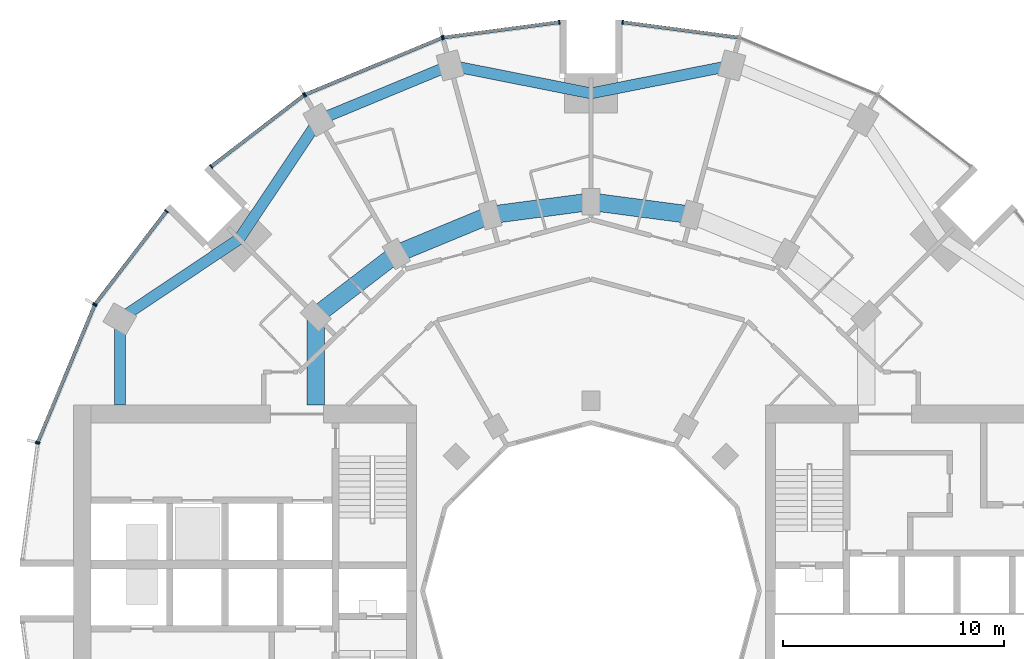
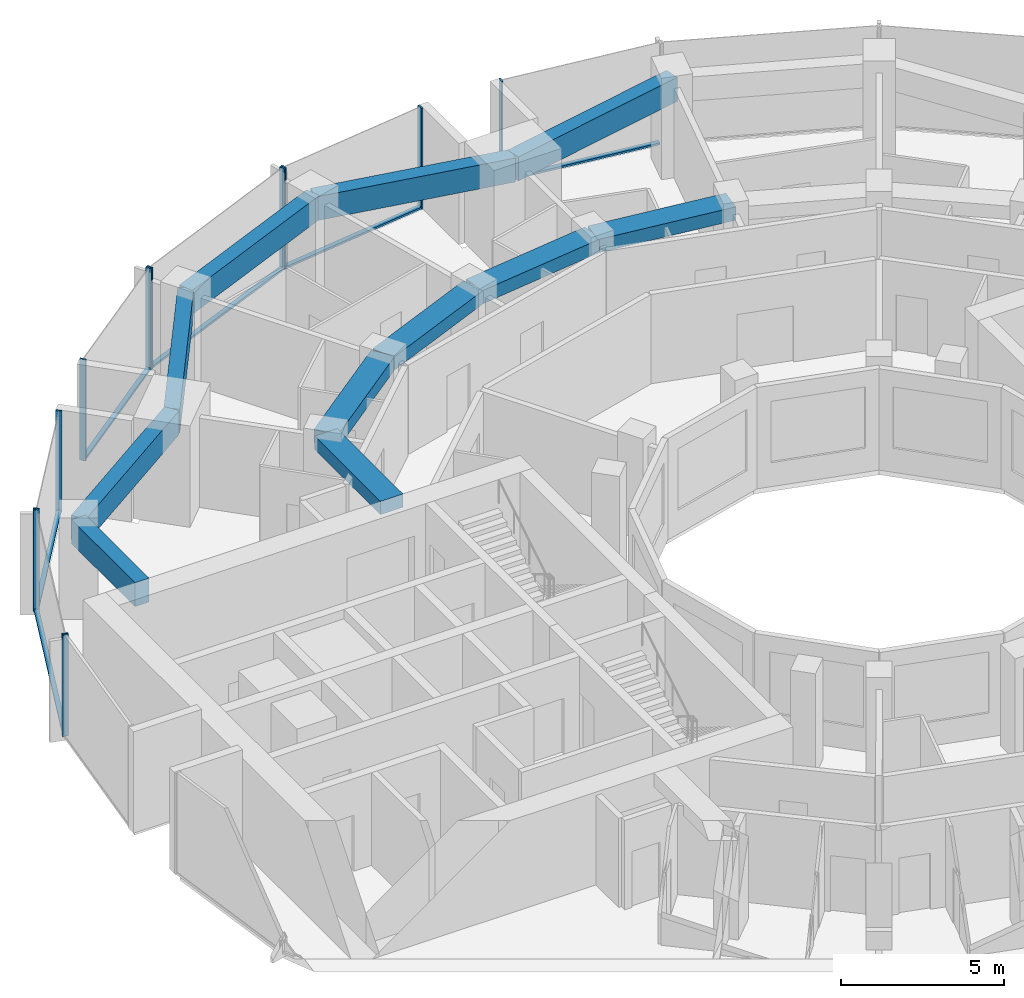
# One storey, part 5 of 15: 18 members, 11 beams, 7 elements without a shape of their own.
"""IFC4 building model written with IfcOpenShell, lengths in metres."""

from ifc_helpers import new_model, si_unit, direction, frame, origin, origin_2d, place, context, subcontext, project, spatial, rectangle, extrude, material, layer, layer_set, material_profile, profile_set, type_object, element, aggregate, save


model = new_model("IFC4")

# Units and contexts
model_context = context("Model", 3, precision=1e-05, world=origin(), true_north=direction((0.0, 1.0)))
body_context = subcontext(model_context, "Body", "Model", "MODEL_VIEW")
ifc_project = project(units=[si_unit("LENGTHUNIT", "METRE"), si_unit("AREAUNIT", "SQUARE_METRE"), si_unit("VOLUMEUNIT", "CUBIC_METRE"), si_unit("PLANEANGLEUNIT", "RADIAN"), si_unit("MASSUNIT", "GRAM", prefix="KILO")], contexts=[model_context])

# Site, building, storey
site_placement = place(None, origin())
site = spatial("IfcSite", under=ifc_project, at=site_placement, CompositionType="ELEMENT")
building_placement = place(site_placement, origin())
building = spatial("IfcBuilding", under=site, at=building_placement, Name="Torre Brocal", CompositionType="ELEMENT")
storey_placement = place(building_placement, frame((0.0, 0.0, 47.800048828125)))
storey = spatial("IfcBuildingStorey", under=building, at=storey_placement, Name="L10", CompositionType="ELEMENT", Elevation=47.800048828125)

# Curtain wall, member
ifc_material_1 = material(Name="Aluminium and glass", Category="aluminium")
ifc_layer_1 = layer(ifc_material_1, 0.199951171875)
ifc_layer_set_1 = layer_set([ifc_layer_1], Name="Aluminium and glass")
curtain_wall_type_1 = type_object("IfcCurtainWallType", Name="CW-1 CURTAIN WALL 3800 HIGH", PredefinedType="NOTDEFINED", material=ifc_layer_set_1)
curtain_wall_1_placement = place(storey_placement, origin())
curtain_wall_1 = element("IfcCurtainWall", 1, at=curtain_wall_1_placement, inside=storey, type_object=curtain_wall_type_1, Name="CW-1 RUN 6", PredefinedType="NOTDEFINED")
ifc_material_2 = material(Name="Aluminium, dark anodised", Category="aluminium")
ifc_material_profile_1 = material_profile(ifc_material_2, rectangle(XDim=0.199951171875, YDim=0.06005859375, at=origin_2d()), Name="CW-1 MULLION 60X200")
ifc_profile_set_1 = profile_set([ifc_material_profile_1], Name="Aluminium, dark anodised")
member_type_1 = type_object("IfcMemberType", Name="CW-1 MULLION 60X200", PredefinedType="MULLION", material=ifc_profile_set_1)
member_1_placement = place(storey_placement, frame((81.4296875, 100.7109375, 0.0), z_axis=(0.0, 0.0, 1.0), x_axis=(-0.13052619222, -0.991444861374, 0.0)))
member_1 = element("IfcMember", 2, at=member_1_placement, type_object=member_type_1, Name="CW1-1 mullion 2", PredefinedType="MULLION", context=body_context, shape_type="SweptSolid", body=[
    extrude(rectangle(XDim=0.199951171875, YDim=0.06005859375, at=origin_2d()), origin(), (0.0, 0.0, 1.0), 3.800048828125),
])

# Curtain wall, members
curtain_wall_2_placement = place(storey_placement, origin())
curtain_wall_2 = element("IfcCurtainWall", 3, at=curtain_wall_2_placement, inside=storey, type_object=curtain_wall_type_1, Name="CW-1 RUN 7", PredefinedType="NOTDEFINED")
member_2_placement = place(storey_placement, frame((78.5703125, 100.7109375, 0.0), z_axis=(0.0, 0.0, 1.0), x_axis=(0.13052619222, -0.991444861374, 0.0)))
member_2 = element("IfcMember", 4, at=member_2_placement, type_object=member_type_1, Name="CW1-1 mullion 1", PredefinedType="MULLION", context=body_context, shape_type="SweptSolid", body=[
    extrude(rectangle(XDim=0.199951171875, YDim=0.06005859375, at=origin_2d()), origin(), (0.0, 0.0, 1.0), 3.800048828125),
])
member_3_placement = place(storey_placement, frame((73.32666015625, 100.0205078125, 0.0), z_axis=(0.0, 0.0, 1.0), x_axis=(0.13052619222, -0.991444861374, 0.0)))
member_3 = element("IfcMember", 5, at=member_3_placement, type_object=member_type_1, Name="CW1-1 mullion 2", PredefinedType="MULLION", context=body_context, shape_type="SweptSolid", body=[
    extrude(rectangle(XDim=0.199951171875, YDim=0.06005859375, at=origin_2d()), origin(), (0.0, 0.0, 1.0), 3.800048828125),
])

curtain_wall_3_placement = place(storey_placement, origin())
curtain_wall_3 = element("IfcCurtainWall", 6, at=curtain_wall_3_placement, inside=storey, type_object=curtain_wall_type_1, Name="CW-1 RUN 8", PredefinedType="NOTDEFINED")
member_4_placement = place(storey_placement, frame((73.26904296875, 100.005126953125, 0.0), z_axis=(0.0, 0.0, 1.0), x_axis=(0.382683432333, -0.923879532525, 0.0)))
member_4 = element("IfcMember", 7, at=member_4_placement, type_object=member_type_1, Name="CW1-1 mullion 1", PredefinedType="MULLION", context=body_context, shape_type="SweptSolid", body=[
    extrude(rectangle(XDim=0.199951171875, YDim=0.06005859375, at=origin_2d()), origin(), (0.0, 0.0, 1.0), 3.800048828125),
])
member_5_placement = place(storey_placement, frame((67.078125, 97.440673828125, 0.0), z_axis=(0.0, 0.0, 1.0), x_axis=(0.382683432333, -0.923879532525, 0.0)))
member_5 = element("IfcMember", 8, at=member_5_placement, type_object=member_type_1, Name="CW1-1 mullion 2", PredefinedType="MULLION", context=body_context, shape_type="SweptSolid", body=[
    extrude(rectangle(XDim=0.199951171875, YDim=0.06005859375, at=origin_2d()), origin(), (0.0, 0.0, 1.0), 3.800048828125),
])

curtain_wall_4_placement = place(storey_placement, origin())
curtain_wall_4 = element("IfcCurtainWall", 9, at=curtain_wall_4_placement, inside=storey, type_object=curtain_wall_type_1, Name="CW-1 RUN 9", PredefinedType="NOTDEFINED")
member_6_placement = place(storey_placement, frame((67.026611328125, 97.4111328125, 0.0), z_axis=(0.0, 0.0, 1.0), x_axis=(0.60876142905, -0.793353340259, 0.0)))
member_6 = element("IfcMember", 10, at=member_6_placement, type_object=member_type_1, Name="CW1-1 mullion 1", PredefinedType="MULLION", context=body_context, shape_type="SweptSolid", body=[
    extrude(rectangle(XDim=0.199951171875, YDim=0.06005859375, at=origin_2d()), origin(), (0.0, 0.0, 1.0), 3.800048828125),
])
member_7_placement = place(storey_placement, frame((62.83056640625, 94.19140625, 0.0), z_axis=(0.0, 0.0, 1.0), x_axis=(0.60876142905, -0.793353340259, 0.0)))
member_7 = element("IfcMember", 11, at=member_7_placement, type_object=member_type_1, Name="CW1-1 mullion 2", PredefinedType="MULLION", context=body_context, shape_type="SweptSolid", body=[
    extrude(rectangle(XDim=0.199951171875, YDim=0.06005859375, at=origin_2d()), origin(), (0.0, 0.0, 1.0), 3.800048828125),
])

curtain_wall_5_placement = place(storey_placement, origin())
curtain_wall_5 = element("IfcCurtainWall", 12, at=curtain_wall_5_placement, inside=storey, type_object=curtain_wall_type_1, Name="CW-1 RUN 10", PredefinedType="NOTDEFINED")
member_8_placement = place(storey_placement, frame((60.80859375, 92.16943359375, 0.0), z_axis=(0.0, 0.0, 1.0), x_axis=(0.793353340259, -0.60876142905, 0.0)))
member_8 = element("IfcMember", 13, at=member_8_placement, type_object=member_type_1, Name="CW1-1 mullion 1", PredefinedType="MULLION", context=body_context, shape_type="SweptSolid", body=[
    extrude(rectangle(XDim=0.199951171875, YDim=0.06005859375, at=origin_2d()), origin(), (0.0, 0.0, 1.0), 3.800048828125),
])
member_9_placement = place(storey_placement, frame((57.5888671875, 87.973388671875, 0.0), z_axis=(0.0, 0.0, 1.0), x_axis=(0.793353340259, -0.60876142905, 0.0)))
member_9 = element("IfcMember", 14, at=member_9_placement, type_object=member_type_1, Name="CW1-1 mullion 2", PredefinedType="MULLION", context=body_context, shape_type="SweptSolid", body=[
    extrude(rectangle(XDim=0.199951171875, YDim=0.06005859375, at=origin_2d()), origin(), (0.0, 0.0, 1.0), 3.800048828125),
])

curtain_wall_6_placement = place(storey_placement, origin())
curtain_wall_6 = element("IfcCurtainWall", 15, at=curtain_wall_6_placement, inside=storey, type_object=curtain_wall_type_1, Name="CW-1 RUN 11", PredefinedType="NOTDEFINED")
member_10_placement = place(storey_placement, frame((57.559326171875, 87.921875, 0.0), z_axis=(0.0, 0.0, 1.0), x_axis=(0.923879532525, -0.382683432333, 0.0)))
member_10 = element("IfcMember", 16, at=member_10_placement, type_object=member_type_1, Name="CW1-1 mullion 1", PredefinedType="MULLION", context=body_context, shape_type="SweptSolid", body=[
    extrude(rectangle(XDim=0.199951171875, YDim=0.06005859375, at=origin_2d()), origin(), (0.0, 0.0, 1.0), 3.800048828125),
])
member_11_placement = place(storey_placement, frame((54.994873046875, 81.73095703125, 0.0), z_axis=(0.0, 0.0, 1.0), x_axis=(0.923879532525, -0.382683432333, 0.0)))
member_11 = element("IfcMember", 17, at=member_11_placement, type_object=member_type_1, Name="CW1-1 mullion 2", PredefinedType="MULLION", context=body_context, shape_type="SweptSolid", body=[
    extrude(rectangle(XDim=0.199951171875, YDim=0.06005859375, at=origin_2d()), origin(), (0.0, 0.0, 1.0), 3.800048828125),
])

# Member
ifc_material_3 = material(Name="Aluminium, dark anodised", Category="aluminium")
ifc_material_profile_2 = material_profile(ifc_material_3, rectangle(XDim=0.159912109375, YDim=0.080078125, at=origin_2d()), Name="CW-1 TRANSOM 160X80")
ifc_profile_set_2 = profile_set([ifc_material_profile_2], Name="Aluminium, dark anodised")
member_type_2 = type_object("IfcMemberType", Name="CW-1 TRANSOM 160X80", PredefinedType="USERDEFINED", material=ifc_profile_set_2)
member_12_placement = place(storey_placement, frame((86.643798828125, 100.0244140625, 0.0400390625), z_axis=(-0.991442690863, 0.130542677827, 0.0), x_axis=(-0.130542677827, -0.991442690863, 0.0)))
member_12 = element("IfcMember", 18, at=member_12_placement, type_object=member_type_2, Name="CW1-1 transom 1.1", ObjectType="TRANSOM", PredefinedType="USERDEFINED", context=body_context, shape_type="SweptSolid", body=[
    extrude(rectangle(XDim=0.159912109375, YDim=0.080078125, at=origin_2d()), origin(), (0.0, 0.0, 1.0), 5.22900390625),
])

aggregate(curtain_wall_1, [member_1, member_12])

member_13_placement = place(storey_placement, frame((78.54052734375, 100.70703125, 0.0400390625), z_axis=(-0.991442690863, -0.130542677827, 0.0), x_axis=(0.130542677827, -0.991442690863, 0.0)))
member_13 = element("IfcMember", 19, at=member_13_placement, type_object=member_type_2, Name="CW1-1 transom 1.1", ObjectType="TRANSOM", PredefinedType="USERDEFINED", context=body_context, shape_type="SweptSolid", body=[
    extrude(rectangle(XDim=0.159912109375, YDim=0.080078125, at=origin_2d()), origin(), (0.0, 0.0, 1.0), 5.22900390625),
])

aggregate(curtain_wall_2, [member_2, member_3, member_13])

member_14_placement = place(storey_placement, frame((73.241455078125, 99.99365234375, 0.0400390625), z_axis=(-0.923887344364, -0.38266457234, 0.0), x_axis=(0.38266457234, -0.923887344364, 0.0)))
member_14 = element("IfcMember", 20, at=member_14_placement, type_object=member_type_2, Name="CW1-1 transom 1.1", ObjectType="TRANSOM", PredefinedType="USERDEFINED", context=body_context, shape_type="SweptSolid", body=[
    extrude(rectangle(XDim=0.159912109375, YDim=0.080078125, at=origin_2d()), origin(), (0.0, 0.0, 1.0), 6.640869140625),
])

aggregate(curtain_wall_3, [member_4, member_5, member_14])

member_15_placement = place(storey_placement, frame((67.0029296875, 97.392822265625, 0.0400390625), z_axis=(-0.79336281513, -0.60874908096, 0.0), x_axis=(0.60874908096, -0.79336281513, 0.0)))
member_15 = element("IfcMember", 21, at=member_15_placement, type_object=member_type_2, Name="CW1-1 transom 1.1", ObjectType="TRANSOM", PredefinedType="USERDEFINED", context=body_context, shape_type="SweptSolid", body=[
    extrude(rectangle(XDim=0.159912109375, YDim=0.080078125, at=origin_2d()), origin(), (0.0, 0.0, 1.0), 5.22900390625),
])

aggregate(curtain_wall_4, [member_6, member_7, member_15])

member_16_placement = place(storey_placement, frame((60.790283203125, 92.1455078125, 0.0400390625), z_axis=(-0.60874908096, -0.79336281513, 0.0), x_axis=(0.79336281513, -0.60874908096, 0.0)))
member_16 = element("IfcMember", 22, at=member_16_placement, type_object=member_type_2, Name="CW1-1 transom 1.1", ObjectType="TRANSOM", PredefinedType="USERDEFINED", context=body_context, shape_type="SweptSolid", body=[
    extrude(rectangle(XDim=0.159912109375, YDim=0.080078125, at=origin_2d()), origin(), (0.0, 0.0, 1.0), 5.22900390625),
])

aggregate(curtain_wall_5, [member_8, member_9, member_16])

member_17_placement = place(storey_placement, frame((57.547607421875, 87.89404296875, 0.0400390625), z_axis=(-0.38266457234, -0.923887344364, 0.0), x_axis=(0.923887344364, -0.38266457234, 0.0)))
member_17 = element("IfcMember", 23, at=member_17_placement, type_object=member_type_2, Name="CW1-1 transom 1.1", ObjectType="TRANSOM", PredefinedType="USERDEFINED", context=body_context, shape_type="SweptSolid", body=[
    extrude(rectangle(XDim=0.159912109375, YDim=0.080078125, at=origin_2d()), origin(), (0.0, 0.0, 1.0), 6.640869140625),
])

aggregate(curtain_wall_6, [member_10, member_11, member_17])

# Curtain wall, member
ifc_material_4 = material(Name="Aluminium and glass", Category="aluminium")
ifc_layer_2 = layer(ifc_material_4, 0.199951171875)
ifc_layer_set_2 = layer_set([ifc_layer_2], Name="Aluminium and glass")
curtain_wall_type_2 = type_object("IfcCurtainWallType", Name="CW-1B CURTAIN WALL 3800 HIGH", PredefinedType="NOTDEFINED", material=ifc_layer_set_2)
curtain_wall_7_placement = place(storey_placement, origin())
curtain_wall_7 = element("IfcCurtainWall", 24, at=curtain_wall_7_placement, inside=storey, type_object=curtain_wall_type_2, Name="CW-1B RUN 12", PredefinedType="NOTDEFINED")
ifc_material_5 = material(Name="Aluminium, dark anodised", Category="aluminium")
ifc_material_profile_3 = material_profile(ifc_material_5, rectangle(XDim=0.199951171875, YDim=0.06005859375, at=origin_2d()), Name="CW-1B MULLION 60X200")
ifc_profile_set_3 = profile_set([ifc_material_profile_3], Name="Aluminium, dark anodised")
member_type_3 = type_object("IfcMemberType", Name="CW-1B MULLION 60X200", PredefinedType="MULLION", material=ifc_profile_set_3)
member_18_placement = place(storey_placement, frame((54.9794921875, 81.67333984375, 0.0), z_axis=(0.0, 0.0, 1.0), x_axis=(0.991444861374, -0.13052619222, 0.0)))
member_18 = element("IfcMember", 25, at=member_18_placement, type_object=member_type_3, Name="CW1B-1 mullion 1", PredefinedType="MULLION", context=body_context, shape_type="SweptSolid", body=[
    extrude(rectangle(XDim=0.199951171875, YDim=0.06005859375, at=origin_2d()), origin(), (0.0, 0.0, 1.0), 3.800048828125),
])
aggregate(curtain_wall_7, [member_18])

# Beams
ifc_material_6 = material(Name="Concrete C50", Category="concrete")
ifc_material_profile_4 = material_profile(ifc_material_6, rectangle(XDim=0.800048828125, YDim=0.5, at=origin_2d()), Name="RC 800X500")
ifc_profile_set_4 = profile_set([ifc_material_profile_4], Name="Concrete C50")
beam_type_1 = type_object("IfcBeamType", Name="RC BEAM 800X500 C50 TOP 3480", PredefinedType="BEAM", material=ifc_profile_set_4)
for number, where, z_axis, x_axis, name in (
    (26, (84.55517578125, 92.000244140625, 3.22998046875), (-0.991440544449, 0.130558978332, 0.0), (-0.130558978332, -0.991440544449, 0.0), "Beam BT-19"),
    (27, (80.0, 92.60009765625, 3.22998046875), (-0.991440544449, -0.130558978332, 0.0), (0.130558978332, -0.991440544449, 0.0), "Beam BT-19"),
):
    element("IfcBeam", number, at=place(storey_placement, frame(where, z_axis=z_axis, x_axis=x_axis)), inside=storey, type_object=beam_type_1, Name=name, PredefinedType="BEAM", context=body_context, shape_type="SweptSolid", body=[
        extrude(rectangle(XDim=0.800048828125, YDim=0.5, at=origin_2d()), origin(), (0.0, 0.0, 1.0), 4.594482421875),
    ])
beam_1_placement = place(storey_placement, frame((75.44482421875, 92.000244140625, 3.22998046875), z_axis=(-0.923878240166, -0.382686552348, 0.0), x_axis=(0.382686552348, -0.923878240166, 0.0)))
element("IfcBeam", 28, at=beam_1_placement, inside=storey, type_object=beam_type_1, Name="Beam BT-19", PredefinedType="BEAM", context=body_context, shape_type="SweptSolid", body=[
    extrude(rectangle(XDim=0.800048828125, YDim=0.5, at=origin_2d()), origin(), (0.0, 0.0, 1.0), 4.5947265625),
])
beam_2_placement = place(storey_placement, frame((71.199951171875, 90.241943359375, 3.22998046875), z_axis=(-0.793358265959, -0.6087550097, 0.0), x_axis=(0.6087550097, -0.793358265959, 0.0)))
element("IfcBeam", 29, at=beam_2_placement, inside=storey, type_object=beam_type_1, Name="Beam BT-19", PredefinedType="BEAM", context=body_context, shape_type="SweptSolid", body=[
    extrude(rectangle(XDim=0.800048828125, YDim=0.5, at=origin_2d()), origin(), (0.0, 0.0, 1.0), 4.594482421875),
])
beam_3_placement = place(storey_placement, frame((67.554931640625, 87.445068359375, 3.22998046875), z_axis=(0.0, -1.0, 0.0), x_axis=(1.0, 0.0, 0.0)))
element("IfcBeam", 30, at=beam_3_placement, inside=storey, type_object=beam_type_1, Name="Beam BT-19", PredefinedType="BEAM", context=body_context, shape_type="SweptSolid", body=[
    extrude(rectangle(XDim=0.800048828125, YDim=0.5, at=origin_2d()), origin(), (0.0, 0.0, 1.0), 4.045166015625),
])
ifc_material_7 = material(Name="Concrete C50", Category="concrete")
ifc_material_profile_5 = material_profile(ifc_material_7, rectangle(XDim=0.5, YDim=0.89990234375, at=origin_2d()), Name="RC 500X900")
ifc_profile_set_5 = profile_set([ifc_material_profile_5], Name="Concrete C50")
beam_type_2 = type_object("IfcBeamType", Name="RC SPANDREL BEAM 500X900 C50 TOP 3480", PredefinedType="SPANDREL", material=ifc_profile_set_5)
for number, where, z_axis, x_axis, name in (
    (31, (86.366943359375, 98.76171875, 3.030029296875), (-0.980924907484, -0.194387051723, 0.0), (0.194387051723, -0.980924907484, 0.0), "Beam BT-20"),
    (32, (80.0, 97.5, 3.030029296875), (-0.980924907484, 0.194387051723, 0.0), (-0.194387051723, -0.980924907484, 0.0), "Beam BT-20"),
):
    element("IfcBeam", number, at=place(storey_placement, frame(where, z_axis=z_axis, x_axis=x_axis)), inside=storey, type_object=beam_type_2, Name=name, PredefinedType="SPANDREL", context=body_context, shape_type="SweptSolid", body=[
        extrude(rectangle(XDim=0.5, YDim=0.89990234375, at=origin_2d()), origin(), (0.0, 0.0, 1.0), 6.49072265625),
    ])
beam_4_placement = place(storey_placement, frame((73.633056640625, 98.76171875, 3.030029296875), z_axis=(-0.923882462513, -0.382676358639, 0.0), x_axis=(0.382676358639, -0.923882462513, 0.0)))
element("IfcBeam", 33, at=beam_4_placement, inside=storey, type_object=beam_type_2, Name="Beam BT-20", PredefinedType="SPANDREL", context=body_context, shape_type="SweptSolid", body=[
    extrude(rectangle(XDim=0.5, YDim=0.89990234375, at=origin_2d()), origin(), (0.0, 0.0, 1.0), 6.421875),
])
for number, where, z_axis, x_axis, name in (
    (34, (67.699951171875, 96.30419921875, 3.030029296875), (-0.556157602282, -0.831076844476, 0.0), (0.831076844476, -0.556157602282, 0.0), "Beam BT-20"),
    (35, (64.090087890625, 90.909912109375, 3.030029296875), (-0.831076844476, -0.556157602282, 0.0), (0.556157602282, -0.831076844476, 0.0), "Beam BT-20"),
):
    element("IfcBeam", number, at=place(storey_placement, frame(where, z_axis=z_axis, x_axis=x_axis)), inside=storey, type_object=beam_type_2, Name=name, PredefinedType="SPANDREL", context=body_context, shape_type="SweptSolid", body=[
        extrude(rectangle(XDim=0.5, YDim=0.89990234375, at=origin_2d()), origin(), (0.0, 0.0, 1.0), 6.49072265625),
    ])
beam_5_placement = place(storey_placement, frame((58.69580078125, 87.300048828125, 3.030029296875), z_axis=(0.0, -1.0, 0.0), x_axis=(1.0, 0.0, 0.0)))
element("IfcBeam", 36, at=beam_5_placement, inside=storey, type_object=beam_type_2, Name="Beam BT-20", PredefinedType="SPANDREL", context=body_context, shape_type="SweptSolid", body=[
    extrude(rectangle(XDim=0.5, YDim=0.89990234375, at=origin_2d()), origin(), (0.0, 0.0, 1.0), 3.900146484375),
])

save(model, "model.ifc")
